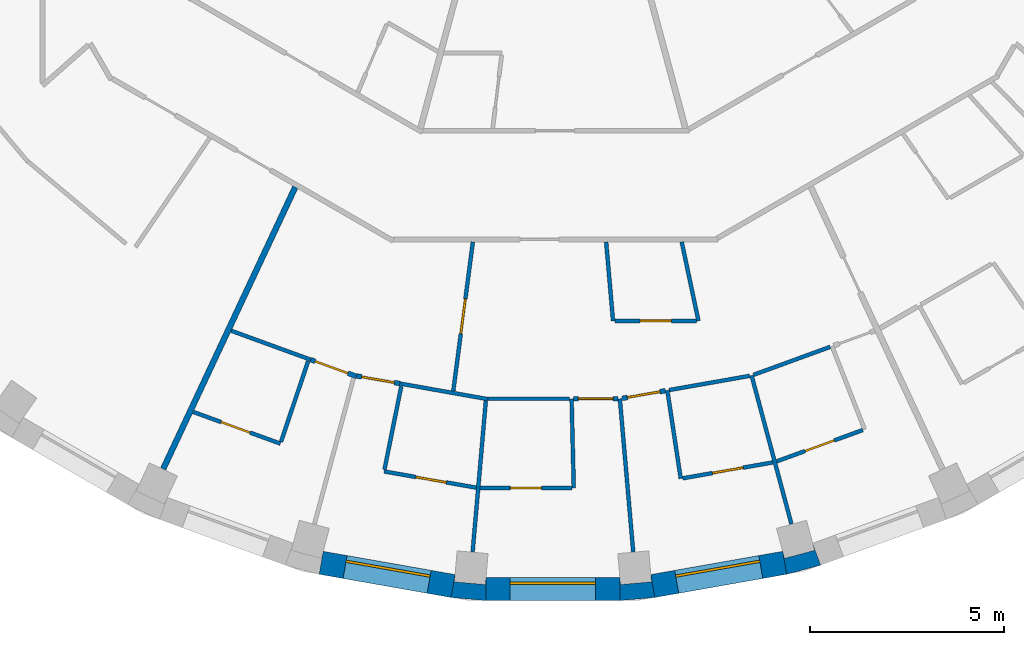
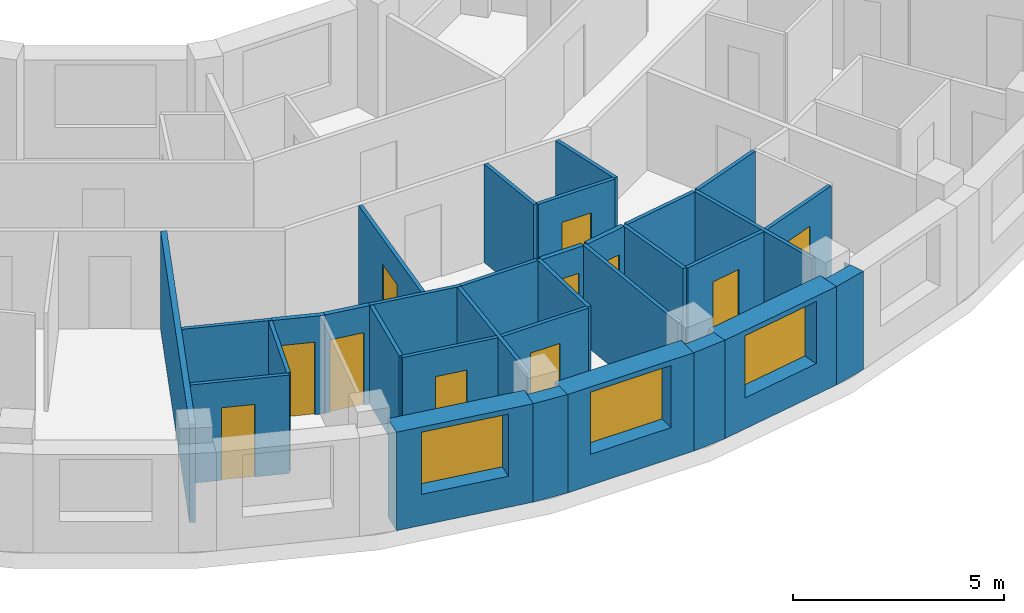
# One storey, part 4 of 15: 32 walls, 11 doors, 3 windows, 14 openings.
"""IFC4 building model written with IfcOpenShell, lengths in metres."""

from ifc_helpers import new_model, si_unit, direction, frame, frame_2d, origin, place, context, subcontext, project, spatial, polyline, rectangle, outline, extrude, material, layer, layer_set, type_object, element, fill, save


model = new_model("IFC4")

# Units and contexts
model_context = context("Model", 3, precision=1e-05, world=origin(), true_north=direction((0.0, 1.0)))
body_context = subcontext(model_context, "Body", "Model", "MODEL_VIEW")
ifc_project = project(units=[si_unit("LENGTHUNIT", "METRE"), si_unit("AREAUNIT", "SQUARE_METRE"), si_unit("VOLUMEUNIT", "CUBIC_METRE"), si_unit("PLANEANGLEUNIT", "RADIAN"), si_unit("MASSUNIT", "GRAM", prefix="KILO")], contexts=[model_context])

# Site, building, storey
site_placement = place(None, origin())
site = spatial("IfcSite", under=ifc_project, at=site_placement, CompositionType="ELEMENT")
building_placement = place(site_placement, origin())
building = spatial("IfcBuilding", under=site, at=building_placement, Name="Saqina Gate Tower", CompositionType="ELEMENT")
storey_placement = place(building_placement, frame((0.0, 0.0, 190.5)))
storey = spatial("IfcBuildingStorey", under=building, at=storey_placement, Name="L54", CompositionType="ELEMENT", Elevation=190.5)

# Walls
ifc_material_1 = material(Name="Brick masonry (buff)", Category="masonry")
wall_type_1 = type_object("IfcWallType", Name="BRICK PIER COPING BUFF", PredefinedType="SOLIDWALL", material=ifc_material_1)
wall_1_placement = place(storey_placement, origin())
element("IfcWall", 1, at=wall_1_placement, inside=storey, type_object=wall_type_1, Name="Pier cap L54 column 27", PredefinedType="SOLIDWALL", context=body_context, shape_type="SweptSolid", body=[
    extrude(outline(polyline([(-2.6259765625, -24.825927734375), (-1.724853515625, -24.90478515625), (-1.724853515625, -24.304931640625), (-1.7412109375, -24.491455078125), (-2.5380859375, -24.421630859375), (-2.521728515625, -24.235107421875), (-2.6259765625, -24.825927734375)])), origin(), (0.0, 0.0, 1.0), 2.85009765625),
])
wall_2_placement = place(storey_placement, origin())
element("IfcWall", 2, at=wall_2_placement, inside=storey, type_object=wall_type_1, Name="Pier cap L54 column 28", PredefinedType="SOLIDWALL", context=body_context, shape_type="SweptSolid", body=[
    extrude(outline(polyline([(1.724853515625, -24.90478515625), (2.6259765625, -24.825927734375), (2.521728515625, -24.235107421875), (2.5380859375, -24.421630859375), (1.7412109375, -24.491455078125), (1.724853515625, -24.304931640625), (1.724853515625, -24.90478515625)])), origin(), (0.0, 0.0, 1.0), 2.85009765625),
])
wall_3_placement = place(storey_placement, origin())
element("IfcWall", 3, at=wall_3_placement, inside=storey, type_object=wall_type_1, Name="Pier cap L54 column 29", PredefinedType="SOLIDWALL", context=body_context, shape_type="SweptSolid", body=[
    extrude(outline(polyline([(6.0234375, -24.22705078125), (6.897216796875, -23.992919921875), (6.69189453125, -23.428955078125), (6.740478515625, -23.610107421875), (5.967529296875, -23.81689453125), (5.919189453125, -23.635986328125), (6.0234375, -24.22705078125)])), origin(), (0.0, 0.0, 1.0), 2.85009765625),
])

# Wall, opening, window
ifc_material_2 = material(Name="Brick masonry (buff)", Category="masonry")
ifc_layer_1 = layer(ifc_material_2, 0.60009765625)
ifc_layer_set_1 = layer_set([ifc_layer_1], Name="FW-BRICK-BUFF")
wall_type_2 = type_object("IfcWallType", Name="FW-BRICK-BUFF", PredefinedType="SOLIDWALL", material=ifc_layer_set_1)
wall_4_placement = place(storey_placement, frame((-5.97119140625, -23.931640625, 0.0), z_axis=(0.0, 0.0, 1.0), x_axis=(0.984814892183, -0.173607684551, 0.0)))
wall_4 = element("IfcWall", 4, at=wall_4_placement, inside=storey, type_object=wall_type_2, Name="Facade wall L54 facet 26", PredefinedType="SOLIDWALL", context=body_context, shape_type="SweptSolid", body=[
    extrude(rectangle(XDim=3.44970703125, YDim=0.60009765625, at=frame_2d((1.724853515625, 0.0))), origin(), (0.0, 0.0, 1.0), 2.85009765625),
])
opening_1_placement = place(wall_4_placement, frame((0.625, 0.0, 0.89990234375)))
opening_1 = element("IfcOpeningElement", 5, at=opening_1_placement, cuts=wall_4, Name="Opening G16-W15", PredefinedType="OPENING", context=body_context, shape_type="SweptSolid", body=[
    extrude(rectangle(XDim=2.199951171875, YDim=1.800048828125, at=frame_2d((1.10009765625, 0.89990234375))), frame((0.0, 0.31201171875, 0.0), z_axis=(0.0, -1.0, 0.0), x_axis=(1.0, 0.0, 0.0)), (0.0, 0.0, 1.0), 0.6240234375),
])
ifc_material_3 = material(Name="Aluminium glazing", Category="aluminium")
window_type = type_object("IfcWindowType", Name="WN-C", PartitioningType="SINGLE_PANEL", PredefinedType="WINDOW", material=ifc_material_3)
window_1_placement = place(opening_1_placement, origin())
window_1 = element("IfcWindow", 6, at=window_1_placement, inside=storey, type_object=window_type, Name="Window L54 facet 26", OverallHeight=1.800048828125, OverallWidth=2.199951171875, PartitioningType="SINGLE_PANEL", PredefinedType="WINDOW", context=body_context, shape_type="SweptSolid", body=[
    extrude(rectangle(XDim=2.199951171875, YDim=1.800048828125, at=frame_2d((1.10009765625, 0.89990234375))), frame((0.0, 0.179931640625, 0.0), z_axis=(0.0, -1.0, 0.0), x_axis=(1.0, 0.0, 0.0)), (0.0, 0.0, 1.0), 0.06005859375),
])
fill(opening_1, window_1)

wall_5_placement = place(storey_placement, frame((-1.724853515625, -24.60498046875, 0.0), z_axis=(0.0, 0.0, 1.0), x_axis=(1.0, 0.0, 0.0)))
wall_5 = element("IfcWall", 7, at=wall_5_placement, inside=storey, type_object=wall_type_2, Name="Facade wall L54 facet 27", PredefinedType="SOLIDWALL", context=body_context, shape_type="SweptSolid", body=[
    extrude(rectangle(XDim=3.44970703125, YDim=0.60009765625, at=frame_2d((1.724853515625, 0.0))), origin(), (0.0, 0.0, 1.0), 2.85009765625),
])
opening_2_placement = place(wall_5_placement, frame((0.625, 0.0, 0.89990234375)))
opening_2 = element("IfcOpeningElement", 8, at=opening_2_placement, cuts=wall_5, Name="Opening G16-W16", PredefinedType="OPENING", context=body_context, shape_type="SweptSolid", body=[
    extrude(rectangle(XDim=2.199951171875, YDim=1.800048828125, at=frame_2d((1.10009765625, 0.89990234375))), frame((0.0, 0.31201171875, 0.0), z_axis=(0.0, -1.0, 0.0), x_axis=(1.0, 0.0, 0.0)), (0.0, 0.0, 1.0), 0.6240234375),
])
window_2_placement = place(opening_2_placement, origin())
window_2 = element("IfcWindow", 9, at=window_2_placement, inside=storey, type_object=window_type, Name="Window L54 facet 27", OverallHeight=1.800048828125, OverallWidth=2.199951171875, PartitioningType="SINGLE_PANEL", PredefinedType="WINDOW", context=body_context, shape_type="SweptSolid", body=[
    extrude(rectangle(XDim=2.199951171875, YDim=1.800048828125, at=frame_2d((1.10009765625, 0.89990234375))), frame((0.0, 0.179931640625, 0.0), z_axis=(0.0, -1.0, 0.0), x_axis=(1.0, 0.0, 0.0)), (0.0, 0.0, 1.0), 0.06005859375),
])
fill(opening_2, window_2)

wall_6_placement = place(storey_placement, frame((2.573974609375, -24.530517578125, 0.0), z_axis=(0.0, 0.0, 1.0), x_axis=(0.984814892183, 0.173607684551, 0.0)))
wall_6 = element("IfcWall", 10, at=wall_6_placement, inside=storey, type_object=wall_type_2, Name="Facade wall L54 facet 28", PredefinedType="SOLIDWALL", context=body_context, shape_type="SweptSolid", body=[
    extrude(rectangle(XDim=3.44970703125, YDim=0.60009765625, at=frame_2d((1.724853515625, 0.0))), origin(), (0.0, 0.0, 1.0), 2.85009765625),
])
opening_3_placement = place(wall_6_placement, frame((0.625, 0.0, 0.89990234375)))
opening_3 = element("IfcOpeningElement", 11, at=opening_3_placement, cuts=wall_6, Name="Opening G16-W17", PredefinedType="OPENING", context=body_context, shape_type="SweptSolid", body=[
    extrude(rectangle(XDim=2.199951171875, YDim=1.800048828125, at=frame_2d((1.10009765625, 0.89990234375))), frame((0.0, 0.31201171875, 0.0), z_axis=(0.0, -1.0, 0.0), x_axis=(1.0, 0.0, 0.0)), (0.0, 0.0, 1.0), 0.6240234375),
])
window_3_placement = place(opening_3_placement, origin())
window_3 = element("IfcWindow", 12, at=window_3_placement, inside=storey, type_object=window_type, Name="Window L54 facet 28", OverallHeight=1.800048828125, OverallWidth=2.199951171875, PartitioningType="SINGLE_PANEL", PredefinedType="WINDOW", context=body_context, shape_type="SweptSolid", body=[
    extrude(rectangle(XDim=2.199951171875, YDim=1.800048828125, at=frame_2d((1.10009765625, 0.89990234375))), frame((0.0, 0.179931640625, 0.0), z_axis=(0.0, -1.0, 0.0), x_axis=(1.0, 0.0, 0.0)), (0.0, 0.0, 1.0), 0.06005859375),
])
fill(opening_3, window_3)

# Walls
ifc_material_4 = material(Name="Gypsum board on steel studs, 100 mm", Category="steel")
ifc_layer_2 = layer(ifc_material_4, 0.10009765625)
ifc_layer_set_2 = layer_set([ifc_layer_2], Name="PARTITION 100")
wall_type_3 = type_object("IfcWallType", Name="PARTITION 100", PredefinedType="PARTITIONING", material=ifc_layer_set_2)
wall_7_placement = place(storey_placement, frame((0.48095703125, -19.705078125, 0.0), z_axis=(0.0, 0.0, 1.0), x_axis=(0.024408861322, -0.99970205936, 0.0)))
element("IfcWall", 13, at=wall_7_placement, inside=storey, type_object=wall_type_3, Name="PARTITION PW3-01", PredefinedType="PARTITIONING", context=body_context, shape_type="SweptSolid", body=[
    extrude(rectangle(XDim=2.300537109375, YDim=0.10009765625, at=frame_2d((1.150390625, 0.0))), origin(), (0.0, 0.0, 1.0), 2.85009765625),
])
wall_8_placement = place(storey_placement, frame((1.370849609375, -15.662109375, 0.0), z_axis=(0.0, 0.0, 1.0), x_axis=(0.087124015283, -0.996197473376, 0.0)))
element("IfcWall", 14, at=wall_8_placement, inside=storey, type_object=wall_type_3, Name="PARTITION PW3-03", PredefinedType="PARTITIONING", context=body_context, shape_type="SweptSolid", body=[
    extrude(rectangle(XDim=2.045654296875, YDim=0.10009765625, at=frame_2d((1.02294921875, 0.0))), origin(), (0.0, 0.0, 1.0), 2.85009765625),
])
wall_9_placement = place(storey_placement, frame((1.72412109375, -19.705078125, 0.0), z_axis=(0.0, 0.0, 1.0), x_axis=(0.087060633562, -0.996203014492, 0.0)))
element("IfcWall", 15, at=wall_9_placement, inside=storey, type_object=wall_type_3, Name="PARTITION PW3-04", PredefinedType="PARTITIONING", context=body_context, shape_type="SweptSolid", body=[
    extrude(rectangle(XDim=3.959716796875, YDim=0.10009765625, at=frame_2d((1.97998046875, 0.0))), origin(), (0.0, 0.0, 1.0), 2.85009765625),
])
wall_10_placement = place(storey_placement, frame((2.947998046875, -19.489013671875, 0.0), z_axis=(0.0, 0.0, 1.0), x_axis=(0.149927962289, -0.98869692329, 0.0)))
element("IfcWall", 16, at=wall_10_placement, inside=storey, type_object=wall_type_3, Name="PARTITION PW3-06", PredefinedType="PARTITIONING", context=body_context, shape_type="SweptSolid", body=[
    extrude(rectangle(XDim=2.301025390625, YDim=0.10009765625, at=frame_2d((1.150390625, 0.0))), origin(), (0.0, 0.0, 1.0), 2.85009765625),
])
wall_11_placement = place(storey_placement, frame((3.31787109375, -15.6611328125, 0.0), z_axis=(0.0, 0.0, 1.0), x_axis=(0.207344548251, -0.978267978782, 0.0)))
element("IfcWall", 17, at=wall_11_placement, inside=storey, type_object=wall_type_3, Name="PARTITION PW3-08", PredefinedType="PARTITIONING", context=body_context, shape_type="SweptSolid", body=[
    extrude(rectangle(XDim=2.084228515625, YDim=0.10009765625, at=frame_2d((1.0419921875, 0.0))), origin(), (0.0, 0.0, 1.0), 2.85009765625),
])
wall_12_placement = place(storey_placement, frame((5.118896484375, -19.10595703125, 0.0), z_axis=(0.0, 0.0, 1.0), x_axis=(0.259051417791, -0.965863532255, 0.0)))
element("IfcWall", 18, at=wall_12_placement, inside=storey, type_object=wall_type_3, Name="PARTITION PW3-09", PredefinedType="PARTITIONING", context=body_context, shape_type="SweptSolid", body=[
    extrude(rectangle(XDim=3.960205078125, YDim=0.10009765625, at=frame_2d((1.97998046875, 0.0))), origin(), (0.0, 0.0, 1.0), 2.85009765625),
])

# Wall, opening, door
wall_13_placement = place(storey_placement, frame((-9.264404296875, -20.044677734375, 0.0), z_axis=(0.0, 0.0, 1.0), x_axis=(0.939661926998, -0.342104462045, 0.0)))
wall_13 = element("IfcWall", 19, at=wall_13_placement, inside=storey, type_object=wall_type_3, Name="PARTITION PW3-43", PredefinedType="PARTITIONING", context=body_context, shape_type="SweptSolid", body=[
    extrude(rectangle(XDim=2.386474609375, YDim=0.10009765625, at=frame_2d((1.193359375, 0.0))), origin(), (0.0, 0.0, 1.0), 2.85009765625),
])
opening_4_placement = place(wall_13_placement, frame((0.755615234375, 0.0, 0.0)))
opening_4 = element("IfcOpeningElement", 20, at=opening_4_placement, cuts=wall_13, Name="Opening G16-D38", PredefinedType="OPENING", context=body_context, shape_type="SweptSolid", body=[
    extrude(rectangle(XDim=0.800048828125, YDim=2.10009765625, at=frame_2d((0.39990234375, 1.050048828125))), frame((0.0, 0.06201171875, 0.0), z_axis=(0.0, -1.0, 0.0), x_axis=(1.0, 0.0, 0.0)), (0.0, 0.0, 1.0), 0.1240234375),
])
ifc_material_5 = material(Name="Timber door leaf, 800 mm", Category="wood")
door_type_1 = type_object("IfcDoorType", Name="DOOR 800 TIMBER", OperationType="SINGLE_SWING_LEFT", PredefinedType="DOOR", material=ifc_material_5)
door_1_placement = place(opening_4_placement, frame((0.800048828125, 0.0, 0.0), z_axis=(0.0, 0.0, 1.0), x_axis=(-1.0, 0.0, 0.0)))
door_1 = element("IfcDoor", 21, at=door_1_placement, inside=storey, type_object=door_type_1, Name="DOOR G16-D38", OperationType="SINGLE_SWING_RIGHT", OverallHeight=2.10009765625, OverallWidth=0.800048828125, PredefinedType="DOOR", context=body_context, shape_type="SweptSolid", body=[
    extrude(rectangle(XDim=0.800048828125, YDim=2.10009765625, at=frame_2d((0.39990234375, 1.050048828125))), frame((0.0, 0.02490234375, 0.0), z_axis=(0.0, -1.0, 0.0), x_axis=(1.0, 0.0, 0.0)), (0.0, 0.0, 1.0), 0.050048828125),
])
fill(opening_4, door_1)

# Walls
wall_14_placement = place(storey_placement, frame((-8.28857421875, -17.952880859375, 0.0), z_axis=(0.0, 0.0, 1.0), x_axis=(0.939678877388, -0.34205790064, 0.0)))
element("IfcWall", 22, at=wall_14_placement, inside=storey, type_object=wall_type_3, Name="PARTITION PW3-44", PredefinedType="PARTITIONING", context=body_context, shape_type="SweptSolid", body=[
    extrude(rectangle(XDim=2.178955078125, YDim=0.10009765625, at=frame_2d((1.08935546875, 0.0))), origin(), (0.0, 0.0, 1.0), 2.85009765625),
])
wall_15_placement = place(storey_placement, frame((-3.944091796875, -19.312744140625, 0.0), z_axis=(0.0, 0.0, 1.0), x_axis=(0.984635015371, -0.174624988207, 0.0)))
element("IfcWall", 23, at=wall_15_placement, inside=storey, type_object=wall_type_3, Name="PARTITION PW3-47", PredefinedType="PARTITIONING", context=body_context, shape_type="SweptSolid", body=[
    extrude(rectangle(XDim=2.305419921875, YDim=0.10009765625, at=frame_2d((1.15283203125, 0.0))), origin(), (0.0, 0.0, 1.0), 2.85009765625),
])

# Wall, opening, door
wall_16_placement = place(storey_placement, frame((-4.35009765625, -21.576904296875, 0.0), z_axis=(0.0, 0.0, 1.0), x_axis=(0.984773370293, -0.173843058997, 0.0)))
wall_16 = element("IfcWall", 24, at=wall_16_placement, inside=storey, type_object=wall_type_3, Name="PARTITION PW3-48", PredefinedType="PARTITIONING", context=body_context, shape_type="SweptSolid", body=[
    extrude(rectangle(XDim=2.41259765625, YDim=0.10009765625, at=frame_2d((1.206298828125, 0.0))), origin(), (0.0, 0.0, 1.0), 2.85009765625),
])
opening_5_placement = place(wall_16_placement, frame((0.831298828125, 0.0, 0.0)))
opening_5 = element("IfcOpeningElement", 25, at=opening_5_placement, cuts=wall_16, Name="Opening G16-D41", PredefinedType="OPENING", context=body_context, shape_type="SweptSolid", body=[
    extrude(rectangle(XDim=0.800048828125, YDim=2.10009765625, at=frame_2d((0.39990234375, 1.050048828125))), frame((0.0, 0.06201171875, 0.0), z_axis=(0.0, -1.0, 0.0), x_axis=(1.0, 0.0, 0.0)), (0.0, 0.0, 1.0), 0.1240234375),
])
door_2_placement = place(opening_5_placement, frame((0.800048828125, 0.0, 0.0), z_axis=(0.0, 0.0, 1.0), x_axis=(-1.0, 0.0, 0.0)))
door_2 = element("IfcDoor", 26, at=door_2_placement, inside=storey, type_object=door_type_1, Name="DOOR G16-D41", OperationType="SINGLE_SWING_LEFT", OverallHeight=2.10009765625, OverallWidth=0.800048828125, PredefinedType="DOOR", context=body_context, shape_type="SweptSolid", body=[
    extrude(rectangle(XDim=0.800048828125, YDim=2.10009765625, at=frame_2d((0.39990234375, 1.050048828125))), frame((0.0, 0.02490234375, 0.0), z_axis=(0.0, -1.0, 0.0), x_axis=(1.0, 0.0, 0.0)), (0.0, 0.0, 1.0), 0.050048828125),
])
fill(opening_5, door_2)

wall_17_placement = place(storey_placement, frame((-1.875, -22.0048828125, 0.0), z_axis=(0.0, 0.0, 1.0), x_axis=(1.0, 0.0, 0.0)))
wall_17 = element("IfcWall", 27, at=wall_17_placement, inside=storey, type_object=wall_type_3, Name="PARTITION PW3-51", PredefinedType="PARTITIONING", context=body_context, shape_type="SweptSolid", body=[
    extrude(rectangle(XDim=2.362060546875, YDim=0.10009765625, at=frame_2d((1.18115234375, 0.0))), origin(), (0.0, 0.0, 1.0), 2.85009765625),
])
opening_6_placement = place(wall_17_placement, frame((0.781005859375, 0.0, 0.0)))
opening_6 = element("IfcOpeningElement", 28, at=opening_6_placement, cuts=wall_17, Name="Opening G16-D44", PredefinedType="OPENING", context=body_context, shape_type="SweptSolid", body=[
    extrude(rectangle(XDim=0.800048828125, YDim=2.10009765625, at=frame_2d((0.39990234375, 1.050048828125))), frame((0.0, 0.06201171875, 0.0), z_axis=(0.0, -1.0, 0.0), x_axis=(1.0, 0.0, 0.0)), (0.0, 0.0, 1.0), 0.1240234375),
])
door_3_placement = place(opening_6_placement, frame((0.800048828125, 0.0, 0.0), z_axis=(0.0, 0.0, 1.0), x_axis=(-1.0, 0.0, 0.0)))
door_3 = element("IfcDoor", 29, at=door_3_placement, inside=storey, type_object=door_type_1, Name="DOOR G16-D44", OperationType="SINGLE_SWING_RIGHT", OverallHeight=2.10009765625, OverallWidth=0.800048828125, PredefinedType="DOOR", context=body_context, shape_type="SweptSolid", body=[
    extrude(rectangle(XDim=0.800048828125, YDim=2.10009765625, at=frame_2d((0.39990234375, 1.050048828125))), frame((0.0, 0.02490234375, 0.0), z_axis=(0.0, -1.0, 0.0), x_axis=(1.0, 0.0, 0.0)), (0.0, 0.0, 1.0), 0.050048828125),
])
fill(opening_6, door_3)

# Wall
wall_18_placement = place(storey_placement, frame((-1.674072265625, -19.705078125, 0.0), z_axis=(0.0, 0.0, 1.0), x_axis=(1.0, 0.0, 0.0)))
element("IfcWall", 30, at=wall_18_placement, inside=storey, type_object=wall_type_3, Name="PARTITION PW3-52", PredefinedType="PARTITIONING", context=body_context, shape_type="SweptSolid", body=[
    extrude(rectangle(XDim=2.10498046875, YDim=0.10009765625, at=frame_2d((1.052490234375, 0.0))), origin(), (0.0, 0.0, 1.0), 2.85009765625),
])

# Wall, opening, door
wall_19_placement = place(storey_placement, frame((1.59912109375, -17.699951171875, 0.0), z_axis=(0.0, 0.0, 1.0), x_axis=(1.0, 0.0, 0.0)))
wall_19 = element("IfcWall", 31, at=wall_19_placement, inside=storey, type_object=wall_type_3, Name="PARTITION PW3-53", PredefinedType="PARTITIONING", context=body_context, shape_type="SweptSolid", body=[
    extrude(rectangle(XDim=2.100830078125, YDim=0.10009765625, at=frame_2d((1.05029296875, 0.0))), origin(), (0.0, 0.0, 1.0), 2.85009765625),
])
opening_7_placement = place(wall_19_placement, frame((0.650390625, 0.0, 0.0)))
opening_7 = element("IfcOpeningElement", 32, at=opening_7_placement, cuts=wall_19, Name="Opening G16-D49", PredefinedType="OPENING", context=body_context, shape_type="SweptSolid", body=[
    extrude(rectangle(XDim=0.800048828125, YDim=2.10009765625, at=frame_2d((0.39990234375, 1.050048828125))), frame((0.0, 0.06201171875, 0.0), z_axis=(0.0, -1.0, 0.0), x_axis=(1.0, 0.0, 0.0)), (0.0, 0.0, 1.0), 0.1240234375),
])
door_4_placement = place(opening_7_placement, frame((0.800048828125, 0.0, 0.0), z_axis=(0.0, 0.0, 1.0), x_axis=(-1.0, 0.0, 0.0)))
door_4 = element("IfcDoor", 33, at=door_4_placement, inside=storey, type_object=door_type_1, Name="DOOR G16-D49", OperationType="SINGLE_SWING_RIGHT", OverallHeight=2.10009765625, OverallWidth=0.800048828125, PredefinedType="DOOR", context=body_context, shape_type="SweptSolid", body=[
    extrude(rectangle(XDim=0.800048828125, YDim=2.10009765625, at=frame_2d((0.39990234375, 1.050048828125))), frame((0.0, 0.02490234375, 0.0), z_axis=(0.0, -1.0, 0.0), x_axis=(1.0, 0.0, 0.0)), (0.0, 0.0, 1.0), 0.050048828125),
])
fill(opening_7, door_4)

wall_20_placement = place(storey_placement, frame((3.34228515625, -21.75537109375, 0.0), z_axis=(0.0, 0.0, 1.0), x_axis=(0.984763777024, 0.173897393486, 0.0)))
wall_20 = element("IfcWall", 34, at=wall_20_placement, inside=storey, type_object=wall_type_3, Name="PARTITION PW3-59", PredefinedType="PARTITIONING", context=body_context, shape_type="SweptSolid", body=[
    extrude(rectangle(XDim=2.361328125, YDim=0.10009765625, at=frame_2d((1.1806640625, 0.0))), origin(), (0.0, 0.0, 1.0), 2.85009765625),
])
opening_8_placement = place(wall_20_placement, frame((0.78076171875, 0.0, 0.0)))
opening_8 = element("IfcOpeningElement", 35, at=opening_8_placement, cuts=wall_20, Name="Opening G16-D50", PredefinedType="OPENING", context=body_context, shape_type="SweptSolid", body=[
    extrude(rectangle(XDim=0.800048828125, YDim=2.10009765625, at=frame_2d((0.39990234375, 1.050048828125))), frame((0.0, 0.06201171875, 0.0), z_axis=(0.0, -1.0, 0.0), x_axis=(1.0, 0.0, 0.0)), (0.0, 0.0, 1.0), 0.1240234375),
])
door_5_placement = place(opening_8_placement, frame((0.800048828125, 0.0, 0.0), z_axis=(0.0, 0.0, 1.0), x_axis=(-1.0, 0.0, 0.0)))
door_5 = element("IfcDoor", 36, at=door_5_placement, inside=storey, type_object=door_type_1, Name="DOOR G16-D50", OperationType="SINGLE_SWING_RIGHT", OverallHeight=2.10009765625, OverallWidth=0.800048828125, PredefinedType="DOOR", context=body_context, shape_type="SweptSolid", body=[
    extrude(rectangle(XDim=0.800048828125, YDim=2.10009765625, at=frame_2d((0.39990234375, 1.050048828125))), frame((0.0, 0.02490234375, 0.0), z_axis=(0.0, -1.0, 0.0), x_axis=(1.0, 0.0, 0.0)), (0.0, 0.0, 1.0), 0.050048828125),
])
fill(opening_8, door_5)

# Wall
wall_21_placement = place(storey_placement, frame((2.997314453125, -19.480224609375, 0.0), z_axis=(0.0, 0.0, 1.0), x_axis=(0.984804573467, 0.173666208797, 0.0)))
element("IfcWall", 37, at=wall_21_placement, inside=storey, type_object=wall_type_3, Name="PARTITION PW3-60", PredefinedType="PARTITIONING", context=body_context, shape_type="SweptSolid", body=[
    extrude(rectangle(XDim=2.1044921875, YDim=0.10009765625, at=frame_2d((1.05224609375, 0.0))), origin(), (0.0, 0.0, 1.0), 2.85009765625),
])

# Wall, opening, door
wall_22_placement = place(storey_placement, frame((5.763916015625, -21.31884765625, 0.0), z_axis=(0.0, 0.0, 1.0), x_axis=(0.939663558851, 0.342099979782, 0.0)))
wall_22 = element("IfcWall", 38, at=wall_22_placement, inside=storey, type_object=wall_type_3, Name="PARTITION PW3-63", PredefinedType="PARTITIONING", context=body_context, shape_type="SweptSolid", body=[
    extrude(rectangle(XDim=2.361572265625, YDim=0.10009765625, at=frame_2d((1.1806640625, 0.0))), origin(), (0.0, 0.0, 1.0), 2.85009765625),
])
opening_9_placement = place(wall_22_placement, frame((0.78076171875, 0.0, 0.0)))
opening_9 = element("IfcOpeningElement", 39, at=opening_9_placement, cuts=wall_22, Name="Opening G16-D51", PredefinedType="OPENING", context=body_context, shape_type="SweptSolid", body=[
    extrude(rectangle(XDim=0.800048828125, YDim=2.10009765625, at=frame_2d((0.39990234375, 1.050048828125))), frame((0.0, 0.06201171875, 0.0), z_axis=(0.0, -1.0, 0.0), x_axis=(1.0, 0.0, 0.0)), (0.0, 0.0, 1.0), 0.1240234375),
])
door_6_placement = place(opening_9_placement, frame((0.800048828125, 0.0, 0.0), z_axis=(0.0, 0.0, 1.0), x_axis=(-1.0, 0.0, 0.0)))
door_6 = element("IfcDoor", 40, at=door_6_placement, inside=storey, type_object=door_type_1, Name="DOOR G16-D51", OperationType="SINGLE_SWING_RIGHT", OverallHeight=2.10009765625, OverallWidth=0.800048828125, PredefinedType="DOOR", context=body_context, shape_type="SweptSolid", body=[
    extrude(rectangle(XDim=0.800048828125, YDim=2.10009765625, at=frame_2d((0.39990234375, 1.050048828125))), frame((0.0, 0.02490234375, 0.0), z_axis=(0.0, -1.0, 0.0), x_axis=(1.0, 0.0, 0.0)), (0.0, 0.0, 1.0), 0.050048828125),
])
fill(opening_9, door_6)

# Walls
wall_23_placement = place(storey_placement, frame((5.166015625, -19.0888671875, 0.0), z_axis=(0.0, 0.0, 1.0), x_axis=(0.939725675468, 0.341929312674, 0.0)))
element("IfcWall", 41, at=wall_23_placement, inside=storey, type_object=wall_type_3, Name="PARTITION PW3-64", PredefinedType="PARTITIONING", context=body_context, shape_type="SweptSolid", body=[
    extrude(rectangle(XDim=2.10498046875, YDim=0.10009765625, at=frame_2d((1.052490234375, 0.0))), origin(), (0.0, 0.0, 1.0), 2.85009765625),
])
for number, where, z_axis, x_axis, name in (
    (42, (-7.006103515625, -20.813720703125, 0.0), (0.0, 0.0, 1.0), (0.319138695408, 0.947708021014, 0.0), "PARTITION PW3-92"),
    (43, (-4.340087890625, -21.528076171875, 0.0), (0.0, 0.0, 1.0), (0.197725242549, 0.980257480695, 0.0), "PARTITION PW3-96"),
):
    element("IfcWall", number, at=place(storey_placement, frame(where, z_axis=z_axis, x_axis=x_axis)), inside=storey, type_object=wall_type_3, Name=name, PredefinedType="PARTITIONING", context=body_context, shape_type="SweptSolid", body=[
        extrude(rectangle(XDim=2.18798828125, YDim=0.10009765625, at=frame_2d((1.093994140625, 0.0))), origin(), (0.0, 0.0, 1.0), 2.85009765625),
    ])

# Wall, opening, door
wall_24_placement = place(storey_placement, frame((-2.5673828125, -19.50537109375, 0.0), z_axis=(0.0, 0.0, 1.0), x_axis=(0.130303001962, 0.991474219372, 0.0)))
wall_24 = element("IfcWall", 44, at=wall_24_placement, inside=storey, type_object=wall_type_3, Name="PARTITION PW3-99", PredefinedType="PARTITIONING", context=body_context, shape_type="SweptSolid", body=[
    extrude(rectangle(XDim=3.87646484375, YDim=0.10009765625, at=frame_2d((1.938232421875, 0.0))), origin(), (0.0, 0.0, 1.0), 2.85009765625),
])
opening_10_placement = place(wall_24_placement, frame((1.494384765625, 0.0, 0.0)))
opening_10 = element("IfcOpeningElement", 45, at=opening_10_placement, cuts=wall_24, Name="Opening G16-D42", PredefinedType="OPENING", context=body_context, shape_type="SweptSolid", body=[
    extrude(rectangle(XDim=0.89990234375, YDim=2.10009765625, at=frame_2d((0.449951171875, 1.050048828125))), frame((0.0, 0.06201171875, 0.0), z_axis=(0.0, -1.0, 0.0), x_axis=(1.0, 0.0, 0.0)), (0.0, 0.0, 1.0), 0.1240234375),
])
ifc_material_6 = material(Name="Timber door leaf, 900 mm", Category="wood")
door_type_2 = type_object("IfcDoorType", Name="DOOR 900 TIMBER", OperationType="SINGLE_SWING_LEFT", PredefinedType="DOOR", material=ifc_material_6)
door_7_placement = place(opening_10_placement, frame((0.89990234375, 0.0, 0.0), z_axis=(0.0, 0.0, 1.0), x_axis=(-1.0, 0.0, 0.0)))
door_7 = element("IfcDoor", 46, at=door_7_placement, inside=storey, type_object=door_type_2, Name="DOOR G16-D42", OperationType="SINGLE_SWING_LEFT", OverallHeight=2.10009765625, OverallWidth=0.89990234375, PredefinedType="DOOR", context=body_context, shape_type="SweptSolid", body=[
    extrude(rectangle(XDim=0.89990234375, YDim=2.10009765625, at=frame_2d((0.449951171875, 1.050048828125))), frame((0.0, 0.02490234375, 0.0), z_axis=(0.0, -1.0, 0.0), x_axis=(1.0, 0.0, 0.0)), (0.0, 0.0, 1.0), 0.050048828125),
])
fill(opening_10, door_7)

# Wall
wall_25_placement = place(storey_placement, frame((-2.06884765625, -23.649658203125, 0.0), z_axis=(0.0, 0.0, 1.0), x_axis=(0.087111950553, 0.996198528442, 0.0)))
element("IfcWall", 47, at=wall_25_placement, inside=storey, type_object=wall_type_3, Name="PARTITION PW3-102", PredefinedType="PARTITIONING", context=body_context, shape_type="SweptSolid", body=[
    extrude(rectangle(XDim=3.90966796875, YDim=0.10009765625, at=frame_2d((1.954833984375, 0.0))), origin(), (0.0, 0.0, 1.0), 2.85009765625),
])

# Wall, opening, door
ifc_material_7 = material(Name="Gypsum board on steel studs, 125 mm, fire rated", Category="steel")
ifc_layer_3 = layer(ifc_material_7, 0.125)
ifc_layer_set_3 = layer_set([ifc_layer_3], Name="PARTITION EI 30 125")
wall_type_4 = type_object("IfcWallType", Name="PARTITION EI 30 125", PredefinedType="PARTITIONING", material=ifc_layer_set_3)
wall_26_placement = place(storey_placement, frame((-6.240966796875, -18.697998046875, 0.0), z_axis=(0.0, 0.0, 1.0), x_axis=(0.939793423488, -0.341743063087, 0.0)))
wall_26 = element("IfcWall", 48, at=wall_26_placement, inside=storey, type_object=wall_type_4, Name="PARTITION PW1-18", PredefinedType="PARTITIONING", context=body_context, shape_type="SweptSolid", body=[
    extrude(rectangle(XDim=1.25732421875, YDim=0.125, at=frame_2d((0.628662109375, 0.0))), origin(), (0.0, 0.0, 1.0), 2.85009765625),
])
opening_11_placement = place(wall_26_placement, frame((0.121826171875, 0.0, 0.0)))
opening_11 = element("IfcOpeningElement", 49, at=opening_11_placement, cuts=wall_26, Name="Opening G16-D39", PredefinedType="OPENING", context=body_context, shape_type="SweptSolid", body=[
    extrude(rectangle(XDim=0.89990234375, YDim=2.10009765625, at=frame_2d((0.449951171875, 1.050048828125))), frame((0.0, 0.074462890625, 0.0), z_axis=(0.0, -1.0, 0.0), x_axis=(1.0, 0.0, 0.0)), (0.0, 0.0, 1.0), 0.14892578125),
])
ifc_material_8 = material(Name="Fire door leaf EI 30, 900 mm")
door_type_3 = type_object("IfcDoorType", Name="DOOR 900 EI 30", OperationType="SINGLE_SWING_LEFT", PredefinedType="DOOR", material=ifc_material_8)
door_8_placement = place(opening_11_placement, origin())
door_8 = element("IfcDoor", 50, at=door_8_placement, inside=storey, type_object=door_type_3, Name="DOOR G16-D39", OperationType="SINGLE_SWING_RIGHT", OverallHeight=2.10009765625, OverallWidth=0.89990234375, PredefinedType="DOOR", context=body_context, shape_type="SweptSolid", body=[
    extrude(rectangle(XDim=0.89990234375, YDim=2.10009765625, at=frame_2d((0.449951171875, 1.050048828125))), frame((0.0, 0.02490234375, 0.0), z_axis=(0.0, -1.0, 0.0), x_axis=(1.0, 0.0, 0.0)), (0.0, 0.0, 1.0), 0.050048828125),
])
fill(opening_11, door_8)

wall_27_placement = place(storey_placement, frame((-5.057373046875, -19.116943359375, 0.0), z_axis=(0.0, 0.0, 1.0), x_axis=(0.984803124218, -0.17367442682, 0.0)))
wall_27 = element("IfcWall", 51, at=wall_27_placement, inside=storey, type_object=wall_type_4, Name="PARTITION PW1-20", PredefinedType="PARTITIONING", context=body_context, shape_type="SweptSolid", body=[
    extrude(rectangle(XDim=1.130126953125, YDim=0.125, at=frame_2d((0.56494140625, 0.0))), origin(), (0.0, 0.0, 1.0), 2.85009765625),
])
opening_12_placement = place(wall_27_placement, frame((0.134033203125, 0.0, 0.0)))
opening_12 = element("IfcOpeningElement", 52, at=opening_12_placement, cuts=wall_27, Name="Opening G16-D40", PredefinedType="OPENING", context=body_context, shape_type="SweptSolid", body=[
    extrude(rectangle(XDim=0.85009765625, YDim=2.10009765625, at=frame_2d((0.425048828125, 1.050048828125))), frame((0.0, 0.074462890625, 0.0), z_axis=(0.0, -1.0, 0.0), x_axis=(1.0, 0.0, 0.0)), (0.0, 0.0, 1.0), 0.14892578125),
])
ifc_material_9 = material(Name="Fire door leaf EI 30, 850 mm")
door_type_4 = type_object("IfcDoorType", Name="DOOR 850 EI 30", OperationType="SINGLE_SWING_LEFT", PredefinedType="DOOR", material=ifc_material_9)
door_9_placement = place(opening_12_placement, origin())
door_9 = element("IfcDoor", 53, at=door_9_placement, inside=storey, type_object=door_type_4, Name="DOOR G16-D40", OperationType="SINGLE_SWING_LEFT", OverallHeight=2.10009765625, OverallWidth=0.85009765625, PredefinedType="DOOR", context=body_context, shape_type="SweptSolid", body=[
    extrude(rectangle(XDim=0.85009765625, YDim=2.10009765625, at=frame_2d((0.425048828125, 1.050048828125))), frame((0.0, 0.02490234375, 0.0), z_axis=(0.0, -1.0, 0.0), x_axis=(1.0, 0.0, 0.0)), (0.0, 0.0, 1.0), 0.050048828125),
])
fill(opening_12, door_9)

wall_28_placement = place(storey_placement, frame((0.531005859375, -19.705078125, 0.0), z_axis=(0.0, 0.0, 1.0), x_axis=(1.0, 0.0, 0.0)))
wall_28 = element("IfcWall", 54, at=wall_28_placement, inside=storey, type_object=wall_type_4, Name="PARTITION PW1-22", PredefinedType="PARTITIONING", context=body_context, shape_type="SweptSolid", body=[
    extrude(rectangle(XDim=1.14306640625, YDim=0.125, at=frame_2d((0.571533203125, 0.0))), origin(), (0.0, 0.0, 1.0), 2.85009765625),
])
opening_13_placement = place(wall_28_placement, frame((0.12158203125, 0.0, 0.0)))
opening_13 = element("IfcOpeningElement", 55, at=opening_13_placement, cuts=wall_28, Name="Opening G16-D47", PredefinedType="OPENING", context=body_context, shape_type="SweptSolid", body=[
    extrude(rectangle(XDim=0.89990234375, YDim=2.10009765625, at=frame_2d((0.449951171875, 1.050048828125))), frame((0.0, 0.074462890625, 0.0), z_axis=(0.0, -1.0, 0.0), x_axis=(1.0, 0.0, 0.0)), (0.0, 0.0, 1.0), 0.14892578125),
])
door_10_placement = place(opening_13_placement, origin())
door_10 = element("IfcDoor", 56, at=door_10_placement, inside=storey, type_object=door_type_3, Name="DOOR G16-D47", OperationType="SINGLE_SWING_RIGHT", OverallHeight=2.10009765625, OverallWidth=0.89990234375, PredefinedType="DOOR", context=body_context, shape_type="SweptSolid", body=[
    extrude(rectangle(XDim=0.89990234375, YDim=2.10009765625, at=frame_2d((0.449951171875, 1.050048828125))), frame((0.0, 0.02490234375, 0.0), z_axis=(0.0, -1.0, 0.0), x_axis=(1.0, 0.0, 0.0)), (0.0, 0.0, 1.0), 0.050048828125),
])
fill(opening_13, door_10)

wall_29_placement = place(storey_placement, frame((1.78564453125, -19.694091796875, 0.0), z_axis=(0.0, 0.0, 1.0), x_axis=(0.984803124218, 0.17367442682, 0.0)))
wall_29 = element("IfcWall", 57, at=wall_29_placement, inside=storey, type_object=wall_type_4, Name="PARTITION PW1-28", PredefinedType="PARTITIONING", context=body_context, shape_type="SweptSolid", body=[
    extrude(rectangle(XDim=1.130126953125, YDim=0.125, at=frame_2d((0.56494140625, 0.0))), origin(), (0.0, 0.0, 1.0), 2.85009765625),
])
opening_14_placement = place(wall_29_placement, frame((0.134033203125, 0.0, 0.0)))
opening_14 = element("IfcOpeningElement", 58, at=opening_14_placement, cuts=wall_29, Name="Opening G16-D48", PredefinedType="OPENING", context=body_context, shape_type="SweptSolid", body=[
    extrude(rectangle(XDim=0.85009765625, YDim=2.10009765625, at=frame_2d((0.425048828125, 1.050048828125))), frame((0.0, 0.074462890625, 0.0), z_axis=(0.0, -1.0, 0.0), x_axis=(1.0, 0.0, 0.0)), (0.0, 0.0, 1.0), 0.14892578125),
])
door_11_placement = place(opening_14_placement, origin())
door_11 = element("IfcDoor", 59, at=door_11_placement, inside=storey, type_object=door_type_4, Name="DOOR G16-D48", OperationType="SINGLE_SWING_LEFT", OverallHeight=2.10009765625, OverallWidth=0.85009765625, PredefinedType="DOOR", context=body_context, shape_type="SweptSolid", body=[
    extrude(rectangle(XDim=0.85009765625, YDim=2.10009765625, at=frame_2d((0.425048828125, 1.050048828125))), frame((0.0, 0.02490234375, 0.0), z_axis=(0.0, -1.0, 0.0), x_axis=(1.0, 0.0, 0.0)), (0.0, 0.0, 1.0), 0.050048828125),
])
fill(opening_14, door_11)

# Wall
ifc_material_10 = material(Name="Gypsum board on steel studs, 150 mm, fire rated", Category="steel")
ifc_layer_4 = layer(ifc_material_10, 0.14990234375)
ifc_layer_set_4 = layer_set([ifc_layer_4], Name="PARTITION EI 60 150")
wall_type_5 = type_object("IfcWallType", Name="PARTITION EI 60 150", PredefinedType="PARTITIONING", material=ifc_layer_set_4)
wall_30_placement = place(storey_placement, frame((-10.041259765625, -21.511962890625, 0.0), z_axis=(0.0, 0.0, 1.0), x_axis=(0.424428415396, 0.905461495705, 0.0)))
element("IfcWall", 60, at=wall_30_placement, inside=storey, type_object=wall_type_5, Name="PARTITION PW2-06", PredefinedType="PARTITIONING", context=body_context, shape_type="SweptSolid", body=[
    extrude(rectangle(XDim=8.01806640625, YDim=0.14990234375, at=frame_2d((4.009033203125, 0.0))), origin(), (0.0, 0.0, 1.0), 2.85009765625),
])

save(model, "model.ifc")
